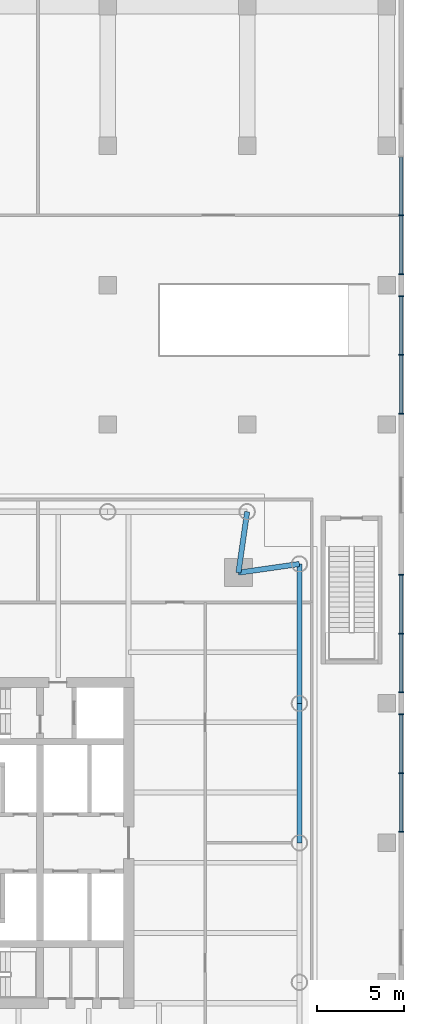
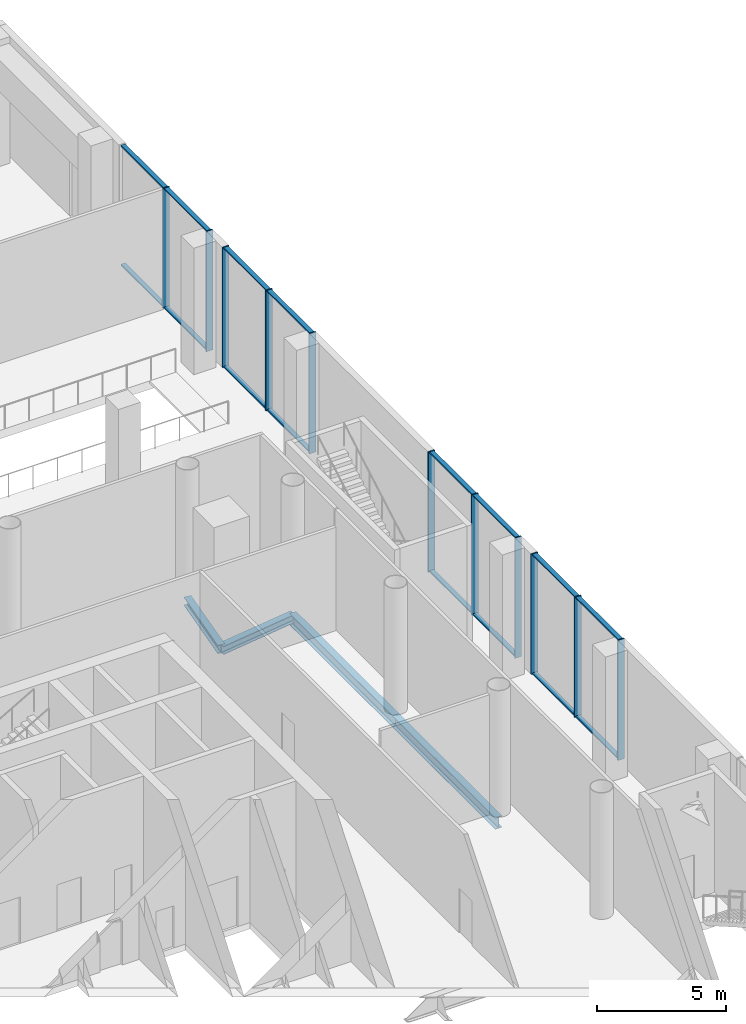
# One storey, part 19 of 39: 27 members, 4 beams, 4 elements without a shape of their own.
"""IFC4 building model written with IfcOpenShell, lengths in metres."""

from ifc_helpers import new_model, si_unit, direction, frame, origin, origin_2d, place, context, subcontext, project, spatial, rectangle, i_section, extrude, material, material_profile, profile_set, type_object, element, aggregate, save


model = new_model("IFC4")

# Units and contexts
model_context = context("Model", 3, precision=1e-05, world=origin(), true_north=direction((0.0, 1.0)))
body_context = subcontext(model_context, "Body", "Model", "MODEL_VIEW")
ifc_project = project(units=[si_unit("LENGTHUNIT", "METRE"), si_unit("AREAUNIT", "SQUARE_METRE"), si_unit("VOLUMEUNIT", "CUBIC_METRE"), si_unit("PLANEANGLEUNIT", "RADIAN"), si_unit("MASSUNIT", "GRAM", prefix="KILO")], contexts=[model_context])

# Site, building, storey
site_placement = place(None, origin())
site = spatial("IfcSite", under=ifc_project, at=site_placement, CompositionType="ELEMENT")
building_placement = place(site_placement, origin())
building = spatial("IfcBuilding", under=site, at=building_placement, Name="Ostroluk Exchange", CompositionType="ELEMENT")
storey_placement = place(building_placement, origin())
storey = spatial("IfcBuildingStorey", under=building, at=storey_placement, Name="L00", CompositionType="ELEMENT", Elevation=0.0)

# Beams
ifc_material_1 = material(Name="Steel S355", Category="steel")
ifc_material_profile_1 = material_profile(ifc_material_1, i_section(OverallWidth=0.300048828125, OverallDepth=0.39990234375, WebThickness=0.013427734375, FlangeThickness=0.02392578125, FilletRadius=0.027099609375, at=origin_2d()), Name="HEB 400")
ifc_profile_set_1 = profile_set([ifc_material_profile_1], Name="Steel S355")
beam_type_1 = type_object("IfcBeamType", Name="Corner edge beam HEB 400", PredefinedType="SPANDREL", material=ifc_profile_set_1)
for number, where, z_axis, x_axis, name in (
    (1, (132.5, 61.5, -0.5), (0.989949493661, 0.141421356237, 0.0), (-0.141421356237, 0.989949493661, 0.0), "T2 east corner edge beam a"),
    (2, (132.5, 61.5, -0.5), (0.141421356237, 0.989949493661, 0.0), (-0.989949493661, 0.141421356237, 0.0), "T2 east corner edge beam b"),
):
    element("IfcBeam", number, at=place(storey_placement, frame(where, z_axis=z_axis, x_axis=x_axis)), inside=storey, type_object=beam_type_1, Name=name, PredefinedType="SPANDREL", context=body_context, shape_type="SweptSolid", body=[
        extrude(i_section(OverallWidth=0.300048828125, OverallDepth=0.39990234375, WebThickness=0.013427734375, FlangeThickness=0.02392578125, FilletRadius=0.027099609375, at=origin_2d()), origin(), (0.0, 0.0, 1.0), 3.53564453125),
    ])
ifc_material_2 = material(Name="Steel S355", Category="steel")
ifc_material_profile_2 = material_profile(ifc_material_2, i_section(OverallWidth=0.300048828125, OverallDepth=0.550048828125, WebThickness=0.014892578125, FlangeThickness=0.029052734375, FilletRadius=0.027099609375, at=origin_2d()), Name="HEB 550")
ifc_profile_set_2 = profile_set([ifc_material_profile_2], Name="Steel S355")
beam_type_2 = type_object("IfcBeamType", Name="Moment-connected edge beam HEB 550", PredefinedType="SPANDREL", material=ifc_profile_set_2)
for number, where, z_axis, x_axis, name in (
    (3, (136.0, 46.0, -0.574951171875), (0.0, 1.0, 0.0), (-1.0, 0.0, 0.0), "T2 east edge beam 3"),
    (4, (136.0, 54.0, -0.574951171875), (0.0, 1.0, 0.0), (-1.0, 0.0, 0.0), "T2 east edge beam 4"),
):
    element("IfcBeam", number, at=place(storey_placement, frame(where, z_axis=z_axis, x_axis=x_axis)), inside=storey, type_object=beam_type_2, Name=name, PredefinedType="SPANDREL", context=body_context, shape_type="SweptSolid", body=[
        extrude(i_section(OverallWidth=0.300048828125, OverallDepth=0.550048828125, WebThickness=0.014892578125, FlangeThickness=0.029052734375, FilletRadius=0.027099609375, at=origin_2d()), origin(), (0.0, 0.0, 1.0), 8.0),
    ])

# Curtain wall, members
ifc_material_3 = material(Name="Laminated clear glass", Category="glass")
curtain_wall_type = type_object("IfcCurtainWallType", Name="Podium shopfront", PredefinedType="USERDEFINED", material=ifc_material_3)
curtain_wall_1_placement = place(storey_placement, origin())
curtain_wall_1 = element("IfcCurtainWall", 5, at=curtain_wall_1_placement, inside=storey, type_object=curtain_wall_type, Name="Podium east E shopfront 4", ObjectType="STICK SHOPFRONT", PredefinedType="USERDEFINED")
ifc_material_4 = material(Name="Aluminium mullion", Category="aluminium")
ifc_material_profile_3 = material_profile(ifc_material_4, rectangle(XDim=0.300048828125, YDim=0.06005859375, at=origin_2d()), Name="Shopfront mullion 60 x 300")
ifc_profile_set_3 = profile_set([ifc_material_profile_3], Name="Aluminium mullion")
member_type_1 = type_object("IfcMemberType", Name="Shopfront mullion 60 x 300", PredefinedType="MULLION", material=ifc_profile_set_3)
member_1_placement = place(storey_placement, frame((141.85009765625, 46.6298828125, 0.0), z_axis=(0.0, 0.0, 1.0), x_axis=(-1.0, 0.0, 0.0)))
member_1 = element("IfcMember", 6, at=member_1_placement, type_object=member_type_1, Name="CW-SF1 mullion 1", PredefinedType="MULLION", context=body_context, shape_type="SweptSolid", body=[
    extrude(rectangle(XDim=0.300048828125, YDim=0.06005859375, at=origin_2d()), origin(), (0.0, 0.0, 1.0), 5.699951171875),
])
member_2_placement = place(storey_placement, frame((141.85009765625, 50.0, 0.0), z_axis=(0.0, 0.0, 1.0), x_axis=(-1.0, 0.0, 0.0)))
member_2 = element("IfcMember", 7, at=member_2_placement, type_object=member_type_1, Name="CW-SF1 mullion 2", PredefinedType="MULLION", context=body_context, shape_type="SweptSolid", body=[
    extrude(rectangle(XDim=0.300048828125, YDim=0.06005859375, at=origin_2d()), origin(), (0.0, 0.0, 1.0), 5.699951171875),
])
member_3_placement = place(storey_placement, frame((141.85009765625, 53.3701171875, 0.0), z_axis=(0.0, 0.0, 1.0), x_axis=(-1.0, 0.0, 0.0)))
member_3 = element("IfcMember", 8, at=member_3_placement, type_object=member_type_1, Name="CW-SF1 mullion 3", PredefinedType="MULLION", context=body_context, shape_type="SweptSolid", body=[
    extrude(rectangle(XDim=0.300048828125, YDim=0.06005859375, at=origin_2d()), origin(), (0.0, 0.0, 1.0), 5.699951171875),
])

curtain_wall_2_placement = place(storey_placement, origin())
curtain_wall_2 = element("IfcCurtainWall", 9, at=curtain_wall_2_placement, inside=storey, type_object=curtain_wall_type, Name="Podium east E shopfront 5", ObjectType="STICK SHOPFRONT", PredefinedType="USERDEFINED")
member_4_placement = place(storey_placement, frame((141.85009765625, 54.6298828125, 0.0), z_axis=(0.0, 0.0, 1.0), x_axis=(-1.0, 0.0, 0.0)))
member_4 = element("IfcMember", 10, at=member_4_placement, type_object=member_type_1, Name="CW-SF1 mullion 1", PredefinedType="MULLION", context=body_context, shape_type="SweptSolid", body=[
    extrude(rectangle(XDim=0.300048828125, YDim=0.06005859375, at=origin_2d()), origin(), (0.0, 0.0, 1.0), 5.699951171875),
])
member_5_placement = place(storey_placement, frame((141.85009765625, 58.0, 0.0), z_axis=(0.0, 0.0, 1.0), x_axis=(-1.0, 0.0, 0.0)))
member_5 = element("IfcMember", 11, at=member_5_placement, type_object=member_type_1, Name="CW-SF1 mullion 2", PredefinedType="MULLION", context=body_context, shape_type="SweptSolid", body=[
    extrude(rectangle(XDim=0.300048828125, YDim=0.06005859375, at=origin_2d()), origin(), (0.0, 0.0, 1.0), 5.699951171875),
])
member_6_placement = place(storey_placement, frame((141.85009765625, 61.3701171875, 0.0), z_axis=(0.0, 0.0, 1.0), x_axis=(-1.0, 0.0, 0.0)))
member_6 = element("IfcMember", 12, at=member_6_placement, type_object=member_type_1, Name="CW-SF1 mullion 3", PredefinedType="MULLION", context=body_context, shape_type="SweptSolid", body=[
    extrude(rectangle(XDim=0.300048828125, YDim=0.06005859375, at=origin_2d()), origin(), (0.0, 0.0, 1.0), 5.699951171875),
])

curtain_wall_3_placement = place(storey_placement, origin())
curtain_wall_3 = element("IfcCurtainWall", 13, at=curtain_wall_3_placement, inside=storey, type_object=curtain_wall_type, Name="Podium east E shopfront 6", ObjectType="STICK SHOPFRONT", PredefinedType="USERDEFINED")
member_7_placement = place(storey_placement, frame((141.85009765625, 70.6298828125, 0.0), z_axis=(0.0, 0.0, 1.0), x_axis=(-1.0, 0.0, 0.0)))
member_7 = element("IfcMember", 14, at=member_7_placement, type_object=member_type_1, Name="CW-SF1 mullion 1", PredefinedType="MULLION", context=body_context, shape_type="SweptSolid", body=[
    extrude(rectangle(XDim=0.300048828125, YDim=0.06005859375, at=origin_2d()), origin(), (0.0, 0.0, 1.0), 5.699951171875),
])
member_8_placement = place(storey_placement, frame((141.85009765625, 74.0, 0.0), z_axis=(0.0, 0.0, 1.0), x_axis=(-1.0, 0.0, 0.0)))
member_8 = element("IfcMember", 15, at=member_8_placement, type_object=member_type_1, Name="CW-SF1 mullion 2", PredefinedType="MULLION", context=body_context, shape_type="SweptSolid", body=[
    extrude(rectangle(XDim=0.300048828125, YDim=0.06005859375, at=origin_2d()), origin(), (0.0, 0.0, 1.0), 5.699951171875),
])
member_9_placement = place(storey_placement, frame((141.85009765625, 77.3701171875, 0.0), z_axis=(0.0, 0.0, 1.0), x_axis=(-1.0, 0.0, 0.0)))
member_9 = element("IfcMember", 16, at=member_9_placement, type_object=member_type_1, Name="CW-SF1 mullion 3", PredefinedType="MULLION", context=body_context, shape_type="SweptSolid", body=[
    extrude(rectangle(XDim=0.300048828125, YDim=0.06005859375, at=origin_2d()), origin(), (0.0, 0.0, 1.0), 5.699951171875),
])

curtain_wall_4_placement = place(storey_placement, origin())
curtain_wall_4 = element("IfcCurtainWall", 17, at=curtain_wall_4_placement, inside=storey, type_object=curtain_wall_type, Name="Podium east E shopfront 7", ObjectType="STICK SHOPFRONT", PredefinedType="USERDEFINED")
member_10_placement = place(storey_placement, frame((141.85009765625, 78.6298828125, 0.0), z_axis=(0.0, 0.0, 1.0), x_axis=(-1.0, 0.0, 0.0)))
member_10 = element("IfcMember", 18, at=member_10_placement, type_object=member_type_1, Name="CW-SF1 mullion 1", PredefinedType="MULLION", context=body_context, shape_type="SweptSolid", body=[
    extrude(rectangle(XDim=0.300048828125, YDim=0.06005859375, at=origin_2d()), origin(), (0.0, 0.0, 1.0), 5.699951171875),
])
member_11_placement = place(storey_placement, frame((141.85009765625, 82.0, 0.0), z_axis=(0.0, 0.0, 1.0), x_axis=(-1.0, 0.0, 0.0)))
member_11 = element("IfcMember", 19, at=member_11_placement, type_object=member_type_1, Name="CW-SF1 mullion 2", PredefinedType="MULLION", context=body_context, shape_type="SweptSolid", body=[
    extrude(rectangle(XDim=0.300048828125, YDim=0.06005859375, at=origin_2d()), origin(), (0.0, 0.0, 1.0), 5.699951171875),
])

# Member
ifc_material_5 = material(Name="Aluminium mullion", Category="aluminium")
ifc_material_profile_4 = material_profile(ifc_material_5, rectangle(XDim=0.199951171875, YDim=0.06005859375, at=origin_2d()), Name="Shopfront transom 60 x 200")
ifc_profile_set_4 = profile_set([ifc_material_profile_4], Name="Aluminium mullion")
member_type_2 = type_object("IfcMemberType", Name="Shopfront transom 60 x 200", PredefinedType="USERDEFINED", material=ifc_profile_set_4)
member_12_placement = place(storey_placement, frame((141.85009765625, 46.659912109375, 0.030029296875), z_axis=(0.0, 1.0, 0.0), x_axis=(-1.0, 0.0, 0.0)))
member_12 = element("IfcMember", 20, at=member_12_placement, type_object=member_type_2, Name="CW-SF1 transom 1.1", ObjectType="TRANSOM", PredefinedType="USERDEFINED", context=body_context, shape_type="SweptSolid", body=[
    extrude(rectangle(XDim=0.199951171875, YDim=0.06005859375, at=origin_2d()), origin(), (0.0, 0.0, 1.0), 3.31005859375),
])

member_13_placement = place(storey_placement, frame((141.85009765625, 46.659912109375, 5.669921875), z_axis=(0.0, 1.0, 0.0), x_axis=(-1.0, 0.0, 0.0)))
member_13 = element("IfcMember", 21, at=member_13_placement, type_object=member_type_2, Name="CW-SF1 transom 1.2", ObjectType="TRANSOM", PredefinedType="USERDEFINED", context=body_context, shape_type="SweptSolid", body=[
    extrude(rectangle(XDim=0.199951171875, YDim=0.06005859375, at=origin_2d()), origin(), (0.0, 0.0, 1.0), 3.31005859375),
])

member_14_placement = place(storey_placement, frame((141.85009765625, 50.030029296875, 0.030029296875), z_axis=(0.0, 1.0, 0.0), x_axis=(-1.0, 0.0, 0.0)))
member_14 = element("IfcMember", 22, at=member_14_placement, type_object=member_type_2, Name="CW-SF1 transom 2.1", ObjectType="TRANSOM", PredefinedType="USERDEFINED", context=body_context, shape_type="SweptSolid", body=[
    extrude(rectangle(XDim=0.199951171875, YDim=0.06005859375, at=origin_2d()), origin(), (0.0, 0.0, 1.0), 3.31005859375),
])

member_15_placement = place(storey_placement, frame((141.85009765625, 50.030029296875, 5.669921875), z_axis=(0.0, 1.0, 0.0), x_axis=(-1.0, 0.0, 0.0)))
member_15 = element("IfcMember", 23, at=member_15_placement, type_object=member_type_2, Name="CW-SF1 transom 2.2", ObjectType="TRANSOM", PredefinedType="USERDEFINED", context=body_context, shape_type="SweptSolid", body=[
    extrude(rectangle(XDim=0.199951171875, YDim=0.06005859375, at=origin_2d()), origin(), (0.0, 0.0, 1.0), 3.31005859375),
])

aggregate(curtain_wall_1, [member_1, member_2, member_3, member_12, member_13, member_14, member_15])

member_16_placement = place(storey_placement, frame((141.85009765625, 54.659912109375, 0.030029296875), z_axis=(0.0, 1.0, 0.0), x_axis=(-1.0, 0.0, 0.0)))
member_16 = element("IfcMember", 24, at=member_16_placement, type_object=member_type_2, Name="CW-SF1 transom 1.1", ObjectType="TRANSOM", PredefinedType="USERDEFINED", context=body_context, shape_type="SweptSolid", body=[
    extrude(rectangle(XDim=0.199951171875, YDim=0.06005859375, at=origin_2d()), origin(), (0.0, 0.0, 1.0), 3.31005859375),
])

member_17_placement = place(storey_placement, frame((141.85009765625, 54.659912109375, 5.669921875), z_axis=(0.0, 1.0, 0.0), x_axis=(-1.0, 0.0, 0.0)))
member_17 = element("IfcMember", 25, at=member_17_placement, type_object=member_type_2, Name="CW-SF1 transom 1.2", ObjectType="TRANSOM", PredefinedType="USERDEFINED", context=body_context, shape_type="SweptSolid", body=[
    extrude(rectangle(XDim=0.199951171875, YDim=0.06005859375, at=origin_2d()), origin(), (0.0, 0.0, 1.0), 3.31005859375),
])

member_18_placement = place(storey_placement, frame((141.85009765625, 58.030029296875, 0.030029296875), z_axis=(0.0, 1.0, 0.0), x_axis=(-1.0, 0.0, 0.0)))
member_18 = element("IfcMember", 26, at=member_18_placement, type_object=member_type_2, Name="CW-SF1 transom 2.1", ObjectType="TRANSOM", PredefinedType="USERDEFINED", context=body_context, shape_type="SweptSolid", body=[
    extrude(rectangle(XDim=0.199951171875, YDim=0.06005859375, at=origin_2d()), origin(), (0.0, 0.0, 1.0), 3.31005859375),
])

member_19_placement = place(storey_placement, frame((141.85009765625, 58.030029296875, 5.669921875), z_axis=(0.0, 1.0, 0.0), x_axis=(-1.0, 0.0, 0.0)))
member_19 = element("IfcMember", 27, at=member_19_placement, type_object=member_type_2, Name="CW-SF1 transom 2.2", ObjectType="TRANSOM", PredefinedType="USERDEFINED", context=body_context, shape_type="SweptSolid", body=[
    extrude(rectangle(XDim=0.199951171875, YDim=0.06005859375, at=origin_2d()), origin(), (0.0, 0.0, 1.0), 3.31005859375),
])

aggregate(curtain_wall_2, [member_4, member_5, member_6, member_16, member_17, member_18, member_19])

member_20_placement = place(storey_placement, frame((141.85009765625, 70.659912109375, 0.030029296875), z_axis=(0.0, 1.0, 0.0), x_axis=(-1.0, 0.0, 0.0)))
member_20 = element("IfcMember", 28, at=member_20_placement, type_object=member_type_2, Name="CW-SF1 transom 1.1", ObjectType="TRANSOM", PredefinedType="USERDEFINED", context=body_context, shape_type="SweptSolid", body=[
    extrude(rectangle(XDim=0.199951171875, YDim=0.06005859375, at=origin_2d()), origin(), (0.0, 0.0, 1.0), 3.31005859375),
])

member_21_placement = place(storey_placement, frame((141.85009765625, 70.659912109375, 5.669921875), z_axis=(0.0, 1.0, 0.0), x_axis=(-1.0, 0.0, 0.0)))
member_21 = element("IfcMember", 29, at=member_21_placement, type_object=member_type_2, Name="CW-SF1 transom 1.2", ObjectType="TRANSOM", PredefinedType="USERDEFINED", context=body_context, shape_type="SweptSolid", body=[
    extrude(rectangle(XDim=0.199951171875, YDim=0.06005859375, at=origin_2d()), origin(), (0.0, 0.0, 1.0), 3.31005859375),
])

member_22_placement = place(storey_placement, frame((141.85009765625, 74.030029296875, 0.030029296875), z_axis=(0.0, 1.0, 0.0), x_axis=(-1.0, 0.0, 0.0)))
member_22 = element("IfcMember", 30, at=member_22_placement, type_object=member_type_2, Name="CW-SF1 transom 2.1", ObjectType="TRANSOM", PredefinedType="USERDEFINED", context=body_context, shape_type="SweptSolid", body=[
    extrude(rectangle(XDim=0.199951171875, YDim=0.06005859375, at=origin_2d()), origin(), (0.0, 0.0, 1.0), 3.31005859375),
])

member_23_placement = place(storey_placement, frame((141.85009765625, 74.030029296875, 5.669921875), z_axis=(0.0, 1.0, 0.0), x_axis=(-1.0, 0.0, 0.0)))
member_23 = element("IfcMember", 31, at=member_23_placement, type_object=member_type_2, Name="CW-SF1 transom 2.2", ObjectType="TRANSOM", PredefinedType="USERDEFINED", context=body_context, shape_type="SweptSolid", body=[
    extrude(rectangle(XDim=0.199951171875, YDim=0.06005859375, at=origin_2d()), origin(), (0.0, 0.0, 1.0), 3.31005859375),
])

aggregate(curtain_wall_3, [member_7, member_8, member_9, member_20, member_21, member_22, member_23])

member_24_placement = place(storey_placement, frame((141.85009765625, 78.659912109375, 0.030029296875), z_axis=(0.0, 1.0, 0.0), x_axis=(-1.0, 0.0, 0.0)))
member_24 = element("IfcMember", 32, at=member_24_placement, type_object=member_type_2, Name="CW-SF1 transom 1.1", ObjectType="TRANSOM", PredefinedType="USERDEFINED", context=body_context, shape_type="SweptSolid", body=[
    extrude(rectangle(XDim=0.199951171875, YDim=0.06005859375, at=origin_2d()), origin(), (0.0, 0.0, 1.0), 3.31005859375),
])

member_25_placement = place(storey_placement, frame((141.85009765625, 78.659912109375, 5.669921875), z_axis=(0.0, 1.0, 0.0), x_axis=(-1.0, 0.0, 0.0)))
member_25 = element("IfcMember", 33, at=member_25_placement, type_object=member_type_2, Name="CW-SF1 transom 1.2", ObjectType="TRANSOM", PredefinedType="USERDEFINED", context=body_context, shape_type="SweptSolid", body=[
    extrude(rectangle(XDim=0.199951171875, YDim=0.06005859375, at=origin_2d()), origin(), (0.0, 0.0, 1.0), 3.31005859375),
])

member_26_placement = place(storey_placement, frame((141.85009765625, 82.030029296875, 0.030029296875), z_axis=(0.0, 1.0, 0.0), x_axis=(-1.0, 0.0, 0.0)))
member_26 = element("IfcMember", 34, at=member_26_placement, type_object=member_type_2, Name="CW-SF1 transom 2.1", ObjectType="TRANSOM", PredefinedType="USERDEFINED", context=body_context, shape_type="SweptSolid", body=[
    extrude(rectangle(XDim=0.199951171875, YDim=0.06005859375, at=origin_2d()), origin(), (0.0, 0.0, 1.0), 3.31005859375),
])

member_27_placement = place(storey_placement, frame((141.85009765625, 82.030029296875, 5.669921875), z_axis=(0.0, 1.0, 0.0), x_axis=(-1.0, 0.0, 0.0)))
member_27 = element("IfcMember", 35, at=member_27_placement, type_object=member_type_2, Name="CW-SF1 transom 2.2", ObjectType="TRANSOM", PredefinedType="USERDEFINED", context=body_context, shape_type="SweptSolid", body=[
    extrude(rectangle(XDim=0.199951171875, YDim=0.06005859375, at=origin_2d()), origin(), (0.0, 0.0, 1.0), 3.31005859375),
])

aggregate(curtain_wall_4, [member_10, member_11, member_24, member_25, member_26, member_27])

save(model, "model.ifc")
